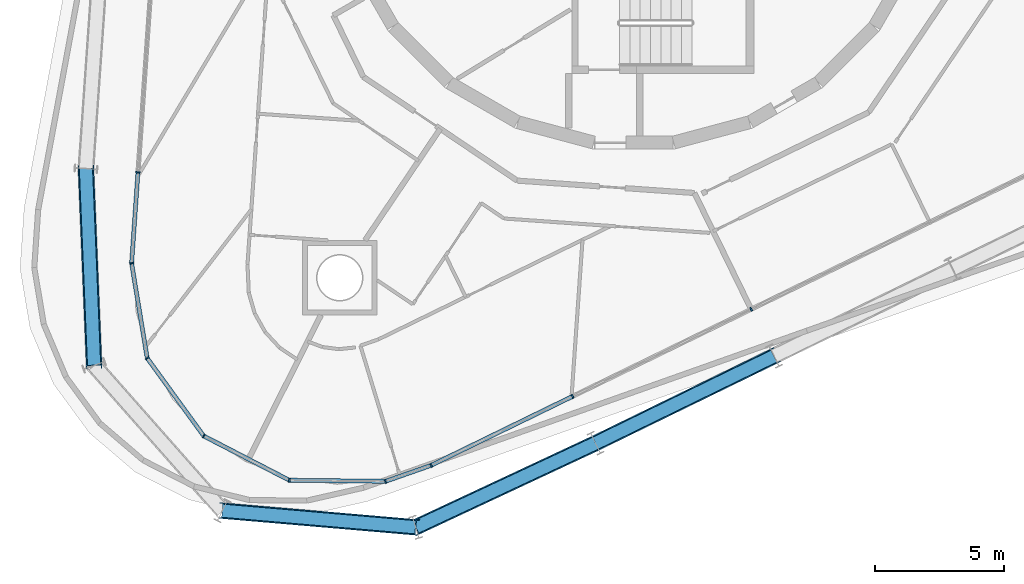
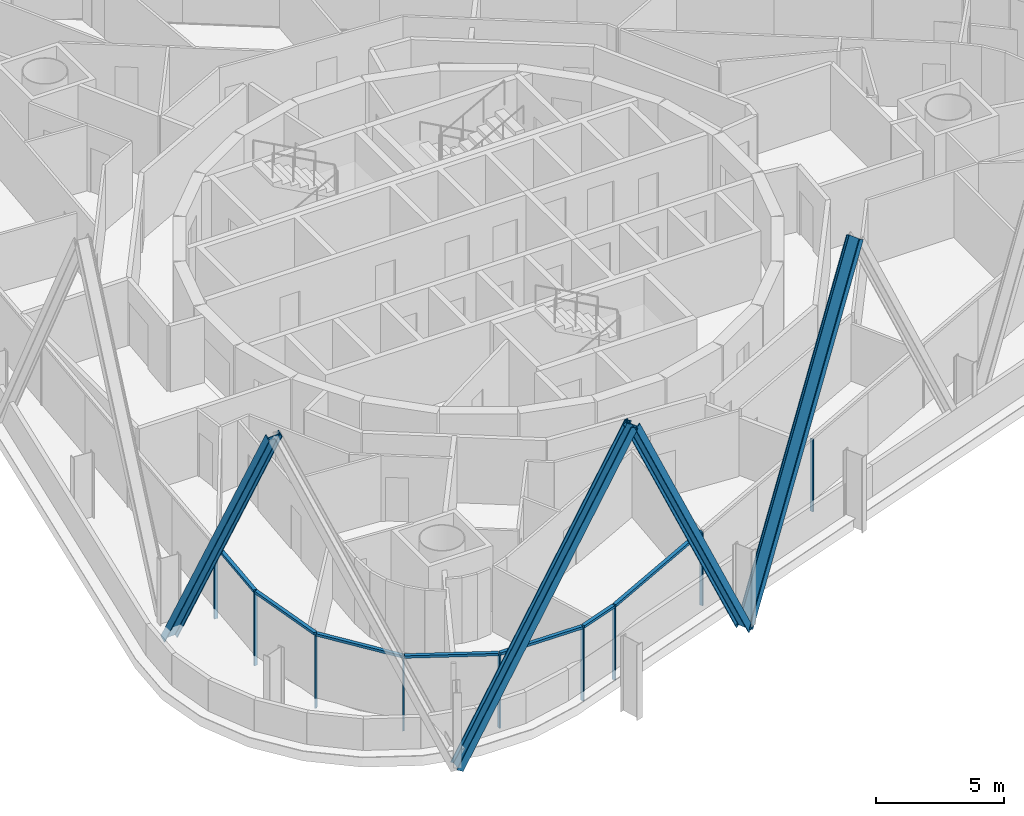
# One storey, part 2 of 18: 20 members, 2 elements without a shape of their own.
"""IFC4 building model written with IfcOpenShell, lengths in metres."""

from ifc_helpers import new_model, si_unit, direction, frame, origin, origin_2d, place, context, subcontext, project, spatial, rectangle, i_section, extrude, material, layer, layer_set, material_profile, profile_set, type_object, element, aggregate, save


model = new_model("IFC4")

# Units and contexts
model_context = context("Model", 3, precision=1e-05, world=origin(), true_north=direction((0.0, 1.0)))
body_context = subcontext(model_context, "Body", "Model", "MODEL_VIEW")
ifc_project = project(units=[si_unit("LENGTHUNIT", "METRE"), si_unit("AREAUNIT", "SQUARE_METRE"), si_unit("VOLUMEUNIT", "CUBIC_METRE"), si_unit("PLANEANGLEUNIT", "RADIAN"), si_unit("MASSUNIT", "GRAM", prefix="KILO")], contexts=[model_context])

# Site, building, storey
site_placement = place(None, origin())
site = spatial("IfcSite", under=ifc_project, at=site_placement, CompositionType="ELEMENT")
building_placement = place(site_placement, origin())
building = spatial("IfcBuilding", under=site, at=building_placement, Name="Spindle Arch Residences", CompositionType="ELEMENT")
storey_placement = place(building_placement, frame((0.0, 0.0, 188.39990234375)))
storey = spatial("IfcBuildingStorey", under=building, at=storey_placement, Name="L47", CompositionType="ELEMENT", Elevation=188.39990234375)

# Curtain wall, members
ifc_material_1 = material(Name="Aluminium bronze unitised frame with tinted glass", Category="aluminium")
ifc_layer_1 = layer(ifc_material_1, 0.159912109375)
ifc_layer_set_1 = layer_set([ifc_layer_1], Name="CW-D corner wall on the fillet arcs")
curtain_wall_type_1 = type_object("IfcCurtainWallType", Name="CW-D corner wall on the fillet arcs", PredefinedType="NOTDEFINED", material=ifc_layer_set_1)
curtain_wall_1_placement = place(storey_placement, origin())
curtain_wall_1 = element("IfcCurtainWall", 1, at=curtain_wall_1_placement, inside=storey, type_object=curtain_wall_type_1, Name="CW-D L47 run 5", PredefinedType="NOTDEFINED")
ifc_material_2 = material(Name="Aluminium bronze anodised mullion", Category="aluminium")
ifc_material_profile_1 = material_profile(ifc_material_2, rectangle(XDim=0.159912109375, YDim=0.06005859375, at=origin_2d()), Name="MU 60x160")
ifc_profile_set_1 = profile_set([ifc_material_profile_1], Name="Aluminium bronze anodised mullion")
member_type_1 = type_object("IfcMemberType", Name="Bronze mullion 60x160", PredefinedType="MULLION", material=ifc_profile_set_1)
member_1_placement = place(storey_placement, frame((-19.2001953125, -12.796875, -0.449951171875), z_axis=(0.0, 0.0, 1.0), x_axis=(0.99756405026, -0.069756473744, 0.0)))
member_1 = element("IfcMember", 2, at=member_1_placement, type_object=member_type_1, Name="CW-D mullion 00", PredefinedType="MULLION", context=body_context, shape_type="SweptSolid", body=[
    extrude(rectangle(XDim=0.159912109375, YDim=0.06005859375, at=origin_2d()), origin(), (0.0, 0.0, 1.0), 3.449951171875),
])
member_2_placement = place(storey_placement, frame((-19.4462890625, -16.31689453125, -0.449951171875), z_axis=(0.0, 0.0, 1.0), x_axis=(0.986761531666, 0.162177925821, 0.0)))
member_2 = element("IfcMember", 3, at=member_2_placement, type_object=member_type_1, Name="CW-D mullion 01", PredefinedType="MULLION", context=body_context, shape_type="SweptSolid", body=[
    extrude(rectangle(XDim=0.159912109375, YDim=0.06005859375, at=origin_2d()), origin(), (0.0, 0.0, 1.0), 3.449951171875),
])
member_3_placement = place(storey_placement, frame((-18.842041015625, -19.994140625, -0.449951171875), z_axis=(0.0, 0.0, 1.0), x_axis=(0.809016992641, 0.587785254679, 0.0)))
member_3 = element("IfcMember", 4, at=member_3_placement, type_object=member_type_1, Name="CW-D mullion 02", PredefinedType="MULLION", context=body_context, shape_type="SweptSolid", body=[
    extrude(rectangle(XDim=0.159912109375, YDim=0.06005859375, at=origin_2d()), origin(), (0.0, 0.0, 1.0), 3.449951171875),
])
member_4_placement = place(storey_placement, frame((-16.6513671875, -23.00927734375, -0.449951171875), z_axis=(0.0, 0.0, 1.0), x_axis=(0.459166453025, 0.88835025098, 0.0)))
member_4 = element("IfcMember", 5, at=member_4_placement, type_object=member_type_1, Name="CW-D mullion 03", PredefinedType="MULLION", context=body_context, shape_type="SweptSolid", body=[
    extrude(rectangle(XDim=0.159912109375, YDim=0.06005859375, at=origin_2d()), origin(), (0.0, 0.0, 1.0), 3.449951171875),
])
member_5_placement = place(storey_placement, frame((-13.3408203125, -24.720458984375, -0.449951171875), z_axis=(0.0, 0.0, 1.0), x_axis=(0.011635263346, 0.999932308032, 0.0)))
member_5 = element("IfcMember", 6, at=member_5_placement, type_object=member_type_1, Name="CW-D mullion 04", PredefinedType="MULLION", context=body_context, shape_type="SweptSolid", body=[
    extrude(rectangle(XDim=0.159912109375, YDim=0.06005859375, at=origin_2d()), origin(), (0.0, 0.0, 1.0), 3.449951171875),
])
member_6_placement = place(storey_placement, frame((-9.6142578125, -24.763916015625, -0.449951171875), z_axis=(0.0, 0.0, 1.0), x_axis=(-0.33106342198, 0.943608504957, 0.0)))
member_6 = element("IfcMember", 7, at=member_6_placement, type_object=member_type_1, Name="CW-D mullion 05", PredefinedType="MULLION", context=body_context, shape_type="SweptSolid", body=[
    extrude(rectangle(XDim=0.159912109375, YDim=0.06005859375, at=origin_2d()), origin(), (0.0, 0.0, 1.0), 3.449951171875),
])
member_7_placement = place(storey_placement, frame((-7.843994140625, -24.142822265625, -0.449951171875), z_axis=(0.0, 0.0, 1.0), x_axis=(-0.438371146789, 0.898794046299, 0.0)))
member_7 = element("IfcMember", 8, at=member_7_placement, type_object=member_type_1, Name="CW-D mullion 06", PredefinedType="MULLION", context=body_context, shape_type="SweptSolid", body=[
    extrude(rectangle(XDim=0.159912109375, YDim=0.06005859375, at=origin_2d()), origin(), (0.0, 0.0, 1.0), 3.449951171875),
])

ifc_material_3 = material(Name="Aluminium bronze unitised frame with tinted glass", Category="aluminium")
ifc_layer_2 = layer(ifc_material_3, 0.159912109375)
ifc_layer_set_2 = layer_set([ifc_layer_2], Name="CW-C typical residential unitised wall")
curtain_wall_type_2 = type_object("IfcCurtainWallType", Name="CW-C typical residential unitised wall", PredefinedType="NOTDEFINED", material=ifc_layer_set_2)
curtain_wall_2_placement = place(storey_placement, origin())
curtain_wall_2 = element("IfcCurtainWall", 9, at=curtain_wall_2_placement, inside=storey, type_object=curtain_wall_type_2, Name="CW-C L47 run 6", PredefinedType="NOTDEFINED")
member_8_placement = place(storey_placement, frame((-2.36767578125, -21.4716796875, -0.449951171875), z_axis=(0.0, 0.0, 1.0), x_axis=(-0.438371146789, 0.898794046299, 0.0)))
member_8 = element("IfcMember", 10, at=member_8_placement, type_object=member_type_1, Name="CW-C mullion 20", PredefinedType="MULLION", context=body_context, shape_type="SweptSolid", body=[
    extrude(rectangle(XDim=0.159912109375, YDim=0.06005859375, at=origin_2d()), origin(), (0.0, 0.0, 1.0), 3.449951171875),
])
member_9_placement = place(storey_placement, frame((4.54736328125, -18.09912109375, -0.449951171875), z_axis=(0.0, 0.0, 1.0), x_axis=(-0.438371146789, 0.898794046299, 0.0)))
member_9 = element("IfcMember", 11, at=member_9_placement, type_object=member_type_1, Name="CW-C mullion 21", PredefinedType="MULLION", context=body_context, shape_type="SweptSolid", body=[
    extrude(rectangle(XDim=0.159912109375, YDim=0.06005859375, at=origin_2d()), origin(), (0.0, 0.0, 1.0), 3.449951171875),
])
aggregate(curtain_wall_2, [member_8, member_9])

# Member
ifc_material_4 = material(Name="Aluminium bronze anodised transom", Category="aluminium")
ifc_material_profile_2 = material_profile(ifc_material_4, rectangle(XDim=0.159912109375, YDim=0.1201171875, at=origin_2d()), Name="TR 120x160")
ifc_profile_set_2 = profile_set([ifc_material_profile_2], Name="Aluminium bronze anodised transom")
member_type_2 = type_object("IfcMemberType", Name="Bronze transom 120x160", PredefinedType="USERDEFINED", material=ifc_profile_set_2)
member_10_placement = place(storey_placement, frame((-19.202392578125, -12.826904296875, 3.06005859375), z_axis=(-0.069756279092, -0.997564063871, 0.0), x_axis=(0.997564063871, -0.069756279092, 0.0)))
member_10 = element("IfcMember", 12, at=member_10_placement, type_object=member_type_2, Name="CW-D transom 00", ObjectType="TRANSOM", PredefinedType="USERDEFINED", context=body_context, shape_type="SweptSolid", body=[
    extrude(rectangle(XDim=0.159912109375, YDim=0.1201171875, at=origin_2d()), origin(), (0.0, 0.0, 1.0), 3.468505859375),
])

member_11_placement = place(storey_placement, frame((-19.44140625, -16.346435546875, 3.06005859375), z_axis=(0.162131110814, -0.986769224746, 0.0), x_axis=(0.986769224746, 0.162131110814, 0.0)))
member_11 = element("IfcMember", 13, at=member_11_placement, type_object=member_type_2, Name="CW-D transom 01", ObjectType="TRANSOM", PredefinedType="USERDEFINED", context=body_context, shape_type="SweptSolid", body=[
    extrude(rectangle(XDim=0.159912109375, YDim=0.1201171875, at=origin_2d()), origin(), (0.0, 0.0, 1.0), 3.666748046875),
])

member_12_placement = place(storey_placement, frame((-18.82421875, -20.0185546875, 3.06005859375), z_axis=(0.587807403161, -0.809000900363, 0.0), x_axis=(0.809000900363, 0.587807403161, 0.0)))
member_12 = element("IfcMember", 14, at=member_12_placement, type_object=member_type_2, Name="CW-D transom 02", ObjectType="TRANSOM", PredefinedType="USERDEFINED", context=body_context, shape_type="SweptSolid", body=[
    extrude(rectangle(XDim=0.159912109375, YDim=0.1201171875, at=origin_2d()), origin(), (0.0, 0.0, 1.0), 3.666748046875),
])

member_13_placement = place(storey_placement, frame((-16.624755859375, -23.02294921875, 3.06005859375), z_axis=(0.888327233371, -0.459210982503, 0.0), x_axis=(0.459210982503, 0.888327233371, 0.0)))
member_13 = element("IfcMember", 15, at=member_13_placement, type_object=member_type_2, Name="CW-D transom 03", ObjectType="TRANSOM", PredefinedType="USERDEFINED", context=body_context, shape_type="SweptSolid", body=[
    extrude(rectangle(XDim=0.159912109375, YDim=0.1201171875, at=origin_2d()), origin(), (0.0, 0.0, 1.0), 3.666748046875),
])

member_14_placement = place(storey_placement, frame((-13.310791015625, -24.720703125, 3.06005859375), z_axis=(0.999932114398, -0.011651892397, 0.0), x_axis=(0.011651892397, 0.999932114398, 0.0)))
member_14 = element("IfcMember", 16, at=member_14_placement, type_object=member_type_2, Name="CW-D transom 04", ObjectType="TRANSOM", PredefinedType="USERDEFINED", context=body_context, shape_type="SweptSolid", body=[
    extrude(rectangle(XDim=0.159912109375, YDim=0.1201171875, at=origin_2d()), origin(), (0.0, 0.0, 1.0), 3.666748046875),
])

member_15_placement = place(storey_placement, frame((-9.5859375, -24.75390625, 3.06005859375), z_axis=(0.943591876762, 0.331110812432, 0.0), x_axis=(-0.331110812432, 0.943591876762, 0.0)))
member_15 = element("IfcMember", 17, at=member_15_placement, type_object=member_type_2, Name="CW-D transom 05", ObjectType="TRANSOM", PredefinedType="USERDEFINED", context=body_context, shape_type="SweptSolid", body=[
    extrude(rectangle(XDim=0.159912109375, YDim=0.1201171875, at=origin_2d()), origin(), (0.0, 0.0, 1.0), 1.816162109375),
])

member_16_placement = place(storey_placement, frame((-7.81689453125, -24.129638671875, 3.06005859375), z_axis=(0.898786724344, 0.438386158704, 0.0), x_axis=(-0.438386158704, 0.898786724344, 0.0)))
member_16 = element("IfcMember", 18, at=member_16_placement, type_object=member_type_2, Name="CW-D transom 06", ObjectType="TRANSOM", PredefinedType="USERDEFINED", context=body_context, shape_type="SweptSolid", body=[
    extrude(rectangle(XDim=0.159912109375, YDim=0.1201171875, at=origin_2d()), origin(), (0.0, 0.0, 1.0), 6.032958984375),
])

aggregate(curtain_wall_1, [member_1, member_10, member_2, member_11, member_3, member_12, member_4, member_13, member_5, member_14, member_6, member_15, member_7, member_16])

# Members
ifc_material_5 = material(Name="Steel S460ML, intumescent coating R 240", Category="steel")
ifc_material_profile_3 = material_profile(ifc_material_5, i_section(OverallWidth=0.304931640625, OverallDepth=0.6201171875, WebThickness=0.02099609375, FlangeThickness=0.0400390625, FilletRadius=0.027099609375, at=origin_2d()), Name="HEM 600")
ifc_profile_set_3 = profile_set([ifc_material_profile_3], Name="Steel S460ML, intumescent coating R 240")
member_type_3 = type_object("IfcMemberType", Name="Diagrid diagonal HEM 600", PredefinedType="BRACE", material=ifc_profile_set_3)
member_17_placement = place(storey_placement, frame((-21.21533203125, -12.656005859375, -0.699951171875), z_axis=(0.019756723805, -0.475992110195, 0.879227605854), x_axis=(-0.036462187032, 0.878471224238, 0.476401949097)))
element("IfcMember", 19, at=member_17_placement, inside=storey, type_object=member_type_3, Name="Diagrid diagonal 5.1.17", PredefinedType="BRACE", context=body_context, shape_type="SweptSolid", body=[
    extrude(i_section(OverallWidth=0.304931640625, OverallDepth=0.6201171875, WebThickness=0.02099609375, FlangeThickness=0.0400390625, FilletRadius=0.027099609375, at=origin_2d()), origin(), (0.0, 0.0, 1.0), 16.002685546875),
])
member_18_placement = place(storey_placement, frame((-15.92822265625, -25.901611328125, -0.699951171875), z_axis=(0.469116016657, -0.040229626098, 0.88221977993), x_axis=(-0.878993582749, 0.075379185363, 0.470837827601)))
element("IfcMember", 20, at=member_18_placement, inside=storey, type_object=member_type_3, Name="Diagrid diagonal 5.1.19", PredefinedType="BRACE", context=body_context, shape_type="SweptSolid", body=[
    extrude(i_section(OverallWidth=0.304931640625, OverallDepth=0.6201171875, WebThickness=0.02099609375, FlangeThickness=0.0400390625, FilletRadius=0.027099609375, at=origin_2d()), origin(), (0.0, 0.0, 1.0), 15.948486328125),
])
member_19_placement = place(storey_placement, frame((-1.482177734375, -23.287353515625, -0.699951171875), z_axis=(-0.434365668575, -0.203067396625, 0.877547775561), x_axis=(0.794963930434, 0.371648284942, 0.479489209064)))
element("IfcMember", 21, at=member_19_placement, inside=storey, type_object=member_type_3, Name="Diagrid diagonal 5.1.20", PredefinedType="BRACE", context=body_context, shape_type="SweptSolid", body=[
    extrude(i_section(OverallWidth=0.304931640625, OverallDepth=0.6201171875, WebThickness=0.02099609375, FlangeThickness=0.0400390625, FilletRadius=0.027099609375, at=origin_2d()), origin(), (0.0, 0.0, 1.0), 16.033447265625),
])
member_20_placement = place(storey_placement, frame((-1.482177734375, -23.287353515625, -0.699951171875), z_axis=(0.431226144949, 0.210322654632, 0.877387253646), x_axis=(-0.788590720377, -0.384620681448, 0.479782874995)))
element("IfcMember", 22, at=member_20_placement, inside=storey, type_object=member_type_3, Name="Diagrid diagonal 5.1.21", PredefinedType="BRACE", context=body_context, shape_type="SweptSolid", body=[
    extrude(i_section(OverallWidth=0.304931640625, OverallDepth=0.6201171875, WebThickness=0.02099609375, FlangeThickness=0.0400390625, FilletRadius=0.027099609375, at=origin_2d()), origin(), (0.0, 0.0, 1.0), 16.036376953125),
])

save(model, "model.ifc")
